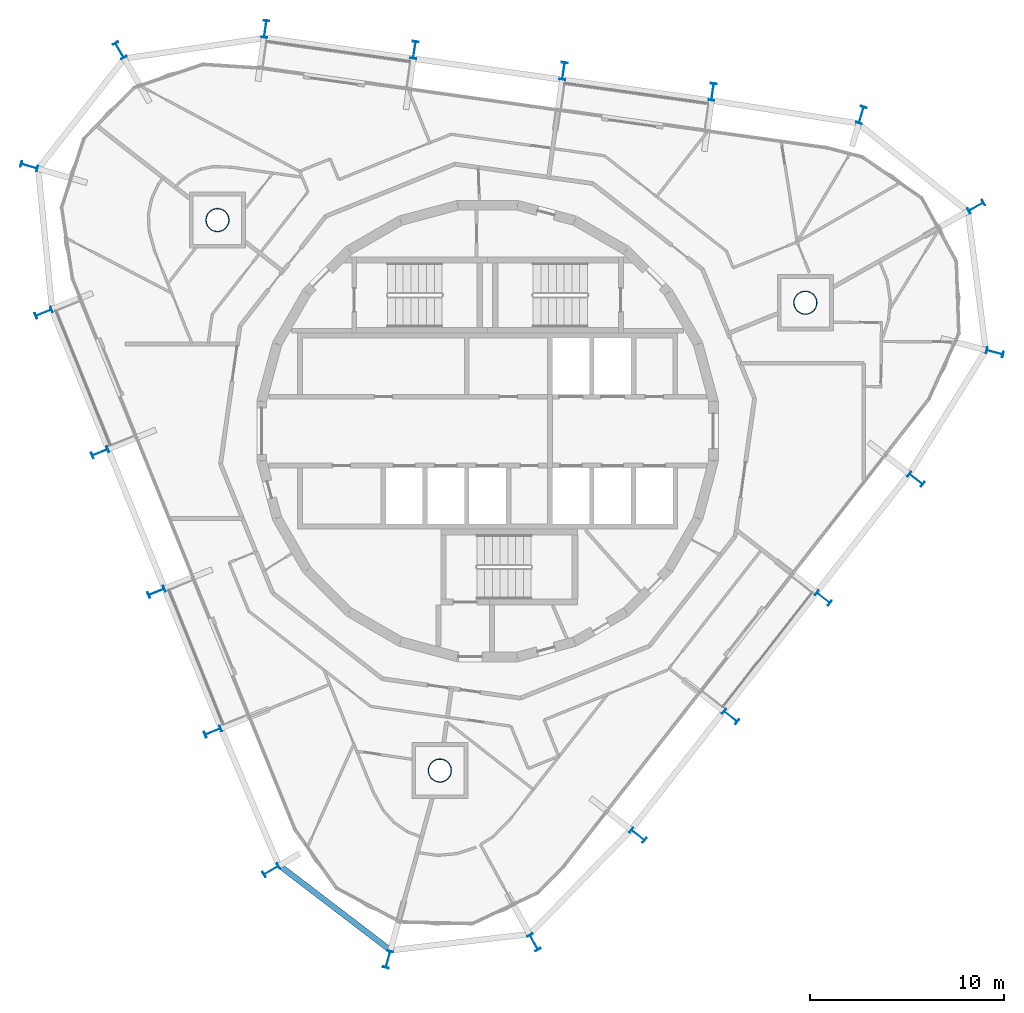
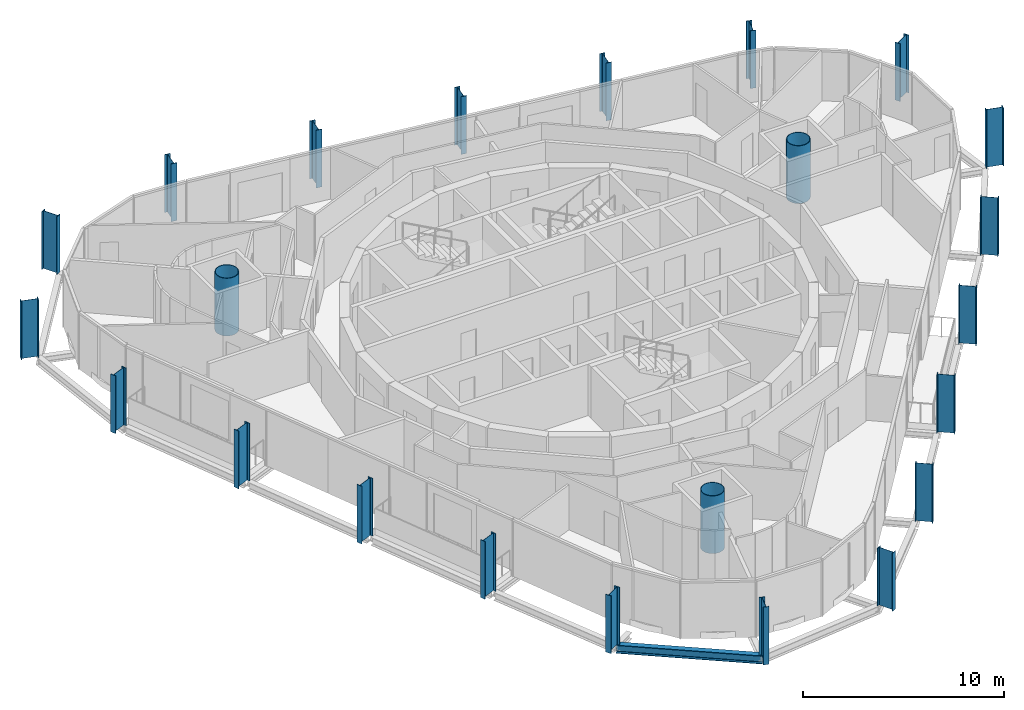
# One storey, part 1 of 15: 23 columns, 1 beam.
"""IFC4 building model written with IfcOpenShell, lengths in metres."""

from ifc_helpers import new_model, si_unit, direction, frame, origin, origin_2d, place, context, subcontext, project, spatial, hollow_circle, i_section, extrude, material, material_profile, profile_set, type_object, element, save


model = new_model("IFC4")

# Units and contexts
model_context = context("Model", 3, precision=1e-05, world=origin(), true_north=direction((0.0, 1.0)))
body_context = subcontext(model_context, "Body", "Model", "MODEL_VIEW")
ifc_project = project(units=[si_unit("LENGTHUNIT", "METRE"), si_unit("AREAUNIT", "SQUARE_METRE"), si_unit("VOLUMEUNIT", "CUBIC_METRE"), si_unit("PLANEANGLEUNIT", "RADIAN"), si_unit("MASSUNIT", "GRAM", prefix="KILO")], contexts=[model_context])

# Site, building, storey
site_placement = place(None, origin())
site = spatial("IfcSite", under=ifc_project, at=site_placement, CompositionType="ELEMENT")
building_placement = place(site_placement, origin())
building = spatial("IfcBuilding", under=site, at=building_placement, Name="Spindle Arch Residences", CompositionType="ELEMENT")
storey_placement = place(building_placement, frame((0.0, 0.0, 343.5)))
storey = spatial("IfcBuildingStorey", under=building, at=storey_placement, Name="L88", CompositionType="ELEMENT", Elevation=343.5)

# Columns
ifc_material_1 = material(Name="Steel S460ML, intumescent coating R 240", Category="steel")
ifc_material_profile_1 = material_profile(ifc_material_1, i_section(OverallWidth=0.300048828125, OverallDepth=0.89990234375, WebThickness=0.0185546875, FlangeThickness=0.034912109375, FilletRadius=0.030029296875, at=origin_2d()), Name="HEB 900")
ifc_profile_set_1 = profile_set([ifc_material_profile_1], Name="Steel S460ML, intumescent coating R 240")
column_type_1 = type_object("IfcColumnType", Name="Exoskeleton post HEB 900", PredefinedType="COLUMN", material=ifc_profile_set_1)
for number, where, z_axis, x_axis, name in (
    (1, (17.314208984375, -8.60009765625, -0.3798828125), (0.0, 0.0, 1.0), (-0.615661060634, -0.788011077599, 0.0), "Exoskeleton post 1"),
    (2, (22.09521484375, -2.480712890625, -0.3798828125), (0.0, 0.0, 1.0), (-0.615661060634, -0.788011077599, 0.0), "Exoskeleton post 2"),
    (3, (26.15869140625, 4.05712890625, -0.3798828125), (0.0, 0.0, 1.0), (-0.253940928912, -0.967219729236, 0.0), "Exoskeleton post 3"),
    (4, (25.19384765625, 11.571044921875, -0.3798828125), (0.0, 0.0, 1.0), (0.490023975195, -0.871708955865, 0.0), "Exoskeleton post 4"),
    (5, (19.27587890625, 16.30078125, -0.3798828125), (0.0, 0.0, 1.0), (0.958298489612, -0.285769146005, 0.0), "Exoskeleton post 5"),
    (6, (11.607421875, 17.4931640625, -0.3798828125), (0.0, 0.0, 1.0), (0.990268081324, -0.139173011432, 0.0), "Exoskeleton post 6"),
    (7, (3.91748046875, 18.573974609375, -0.3798828125), (0.0, 0.0, 1.0), (0.990268081324, -0.139173011432, 0.0), "Exoskeleton post 7"),
    (8, (-3.772705078125, 19.65478515625, -0.3798828125), (0.0, 0.0, 1.0), (0.990268081324, -0.139173011432, 0.0), "Exoskeleton post 8"),
    (9, (-11.462646484375, 20.735595703125, -0.3798828125), (0.0, 0.0, 1.0), (0.990268081324, -0.139173011432, 0.0), "Exoskeleton post 9"),
    (10, (-18.9755859375, 19.632080078125, -0.3798828125), (0.0, 0.0, 1.0), (0.866256848037, 0.499598912358, 0.0), "Exoskeleton post 10"),
    (11, (-23.6396484375, 13.662353515625, -0.3798828125), (0.0, 0.0, 1.0), (0.275193000466, 0.96138900165, 0.0), "Exoskeleton post 11"),
    (12, (-22.892578125, 6.105712890625, -0.3798828125), (0.0, 0.0, 1.0), (-0.374606892434, 0.927183733755, 0.0), "Exoskeleton post 12"),
    (13, (-19.983642578125, -1.094482421875, -0.3798828125), (0.0, 0.0, 1.0), (-0.374606892434, 0.927183733755, 0.0), "Exoskeleton post 13"),
    (14, (-17.07470703125, -8.29443359375, -0.3798828125), (0.0, 0.0, 1.0), (-0.374606892434, 0.927183733755, 0.0), "Exoskeleton post 14"),
    (15, (-14.16552734375, -15.49462890625, -0.3798828125), (0.0, 0.0, 1.0), (-0.374606892434, 0.927183733755, 0.0), "Exoskeleton post 15"),
    (16, (-11.1533203125, -22.64697265625, -0.3798828125), (0.0, 0.0, 1.0), (-0.509114042361, 0.86069907161, 0.0), "Exoskeleton post 16"),
    (17, (-5.13232421875, -27.244873046875, -0.3798828125), (0.0, 0.0, 1.0), (-0.964362923017, 0.264582978873, 0.0), "Exoskeleton post 17"),
    (18, (2.391845703125, -26.363037109375, -0.3798828125), (0.0, 0.0, 1.0), (-0.877055410309, -0.480389224741, 0.0), "Exoskeleton post 18"),
    (19, (7.752197265625, -20.838623046875, -0.3798828125), (0.0, 0.0, 1.0), (-0.615661060634, -0.788011077599, 0.0), "Exoskeleton post 19"),
    (20, (12.533203125, -14.71923828125, -0.3798828125), (0.0, 0.0, 1.0), (-0.615661060634, -0.788011077599, 0.0), "Exoskeleton post 20"),
):
    element("IfcColumn", number, at=place(storey_placement, frame(where, z_axis=z_axis, x_axis=x_axis)), inside=storey, type_object=column_type_1, Name=name, PredefinedType="COLUMN", context=body_context, shape_type="SweptSolid", body=[
        extrude(i_section(OverallWidth=0.300048828125, OverallDepth=0.89990234375, WebThickness=0.0185546875, FlangeThickness=0.034912109375, FilletRadius=0.030029296875, at=origin_2d()), origin(), (0.0, 0.0, 1.0), 3.5),
    ])
ifc_material_2 = material(Name="Concrete C50/60 filled steel tube S460ML, intumescent coating R 240", Category="concrete")
ifc_material_profile_2 = material_profile(ifc_material_2, hollow_circle(Radius=0.60009765625, WallThickness=0.030029296875, at=origin_2d()), Name="CFT D1200x30")
ifc_profile_set_2 = profile_set([ifc_material_profile_2], Name="Concrete C50/60 filled steel tube S460ML, intumescent coating R 240")
column_type_2 = type_object("IfcColumnType", Name="Mega-column CFT D1200x30", PredefinedType="COLUMN", material=ifc_profile_set_2)
for number, where, z_axis, x_axis, name in (
    (21, (16.3896484375, 6.621826171875, -0.3798828125), (0.0, 0.0, 1.0), (1.0, 0.0, 0.0), "Mega-column 1"),
    (22, (-13.929443359375, 10.883056640625, -0.3798828125), (0.0, 0.0, 1.0), (1.0, 0.0, 0.0), "Mega-column 2"),
    (23, (-2.460205078125, -17.5048828125, -0.3798828125), (0.0, 0.0, 1.0), (1.0, 0.0, 0.0), "Mega-column 3"),
):
    element("IfcColumn", number, at=place(storey_placement, frame(where, z_axis=z_axis, x_axis=x_axis)), inside=storey, type_object=column_type_2, Name=name, PredefinedType="COLUMN", context=body_context, shape_type="SweptSolid", body=[
        extrude(hollow_circle(Radius=0.60009765625, WallThickness=0.030029296875, at=origin_2d()), origin(), (0.0, 0.0, 1.0), 3.5),
    ])

# Beam
ifc_material_3 = material(Name="Steel S460ML, intumescent coating R 120", Category="steel")
ifc_material_profile_3 = material_profile(ifc_material_3, i_section(OverallWidth=0.300048828125, OverallDepth=0.5, WebThickness=0.014404296875, FlangeThickness=0.028076171875, FilletRadius=0.027099609375, at=origin_2d()), Name="HEB 500")
ifc_profile_set_3 = profile_set([ifc_material_profile_3], Name="Steel S460ML, intumescent coating R 120")
beam_type = type_object("IfcBeamType", Name="Exoskeleton edge beam HEB 500", PredefinedType="BEAM", material=ifc_profile_set_3)
beam_placement = place(storey_placement, frame((-10.77685546875, -22.3681640625, -0.6298828125), z_axis=(0.794751716533, -0.606934682703, 0.0), x_axis=(0.606934682703, 0.794751716533, 0.0)))
element("IfcBeam", 24, at=beam_placement, inside=storey, type_object=beam_type, Name="Exoskeleton edge beam 16", PredefinedType="BEAM", context=body_context, shape_type="SweptSolid", body=[
    extrude(i_section(OverallWidth=0.300048828125, OverallDepth=0.5, WebThickness=0.014404296875, FlangeThickness=0.028076171875, FilletRadius=0.027099609375, at=origin_2d()), origin(), (0.0, 0.0, 1.0), 7.315673828125),
])

save(model, "model.ifc")
